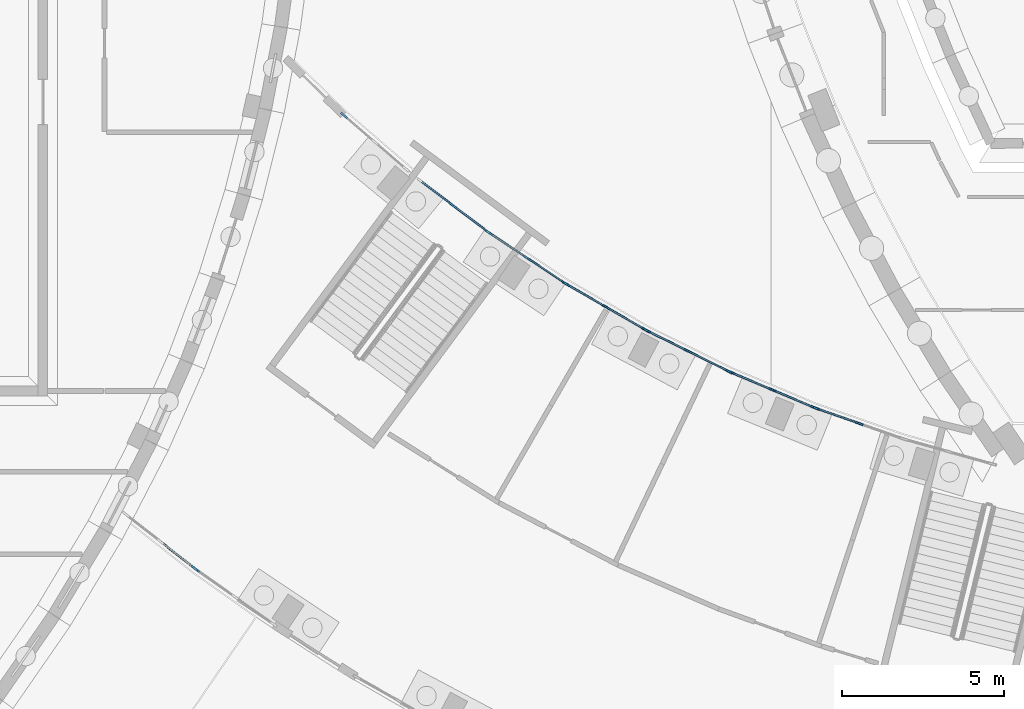
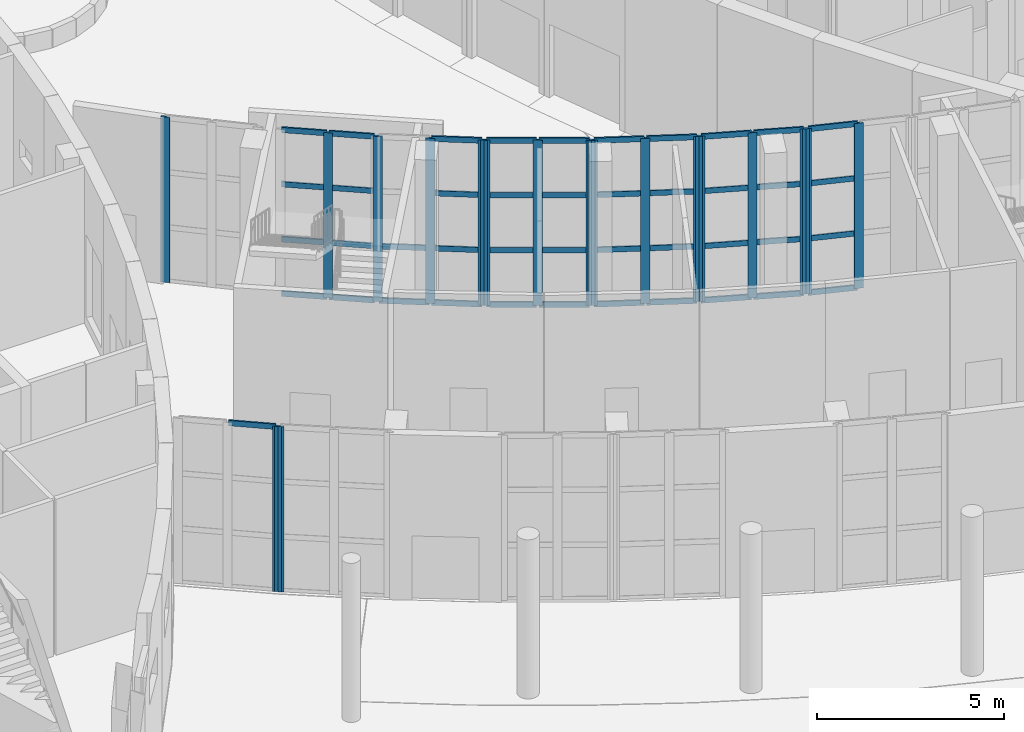
# One storey, part 19 of 82: 61 members, 9 elements without a shape of their own.
"""IFC4 building model written with IfcOpenShell, lengths in metres."""

from ifc_helpers import new_model, si_unit, direction, frame, origin, origin_2d, place, context, subcontext, project, spatial, rectangle, extrude, material, material_profile, profile_set, type_object, element, aggregate, save


model = new_model("IFC4")

# Units and contexts
model_context = context("Model", 3, precision=1e-05, world=origin(), true_north=direction((0.0, 1.0)))
body_context = subcontext(model_context, "Body", "Model", "MODEL_VIEW")
ifc_project = project(units=[si_unit("LENGTHUNIT", "METRE"), si_unit("AREAUNIT", "SQUARE_METRE"), si_unit("VOLUMEUNIT", "CUBIC_METRE"), si_unit("PLANEANGLEUNIT", "RADIAN"), si_unit("MASSUNIT", "GRAM", prefix="KILO")], contexts=[model_context])

# Site, building, storey
site_placement = place(None, origin())
site = spatial("IfcSite", under=ifc_project, at=site_placement, CompositionType="ELEMENT")
building_placement = place(site_placement, origin())
building = spatial("IfcBuilding", under=site, at=building_placement, Name="Tide Square Theatres", CompositionType="ELEMENT")
storey_placement = place(building_placement, origin())
storey = spatial("IfcBuildingStorey", under=building, at=storey_placement, Name="L00", CompositionType="ELEMENT", Elevation=0.0)

# Curtain wall, member
ifc_material_1 = material(Name="Aluminium 6063-T5", Category="aluminium")
curtain_wall_type = type_object("IfcCurtainWallType", Name="Unitised system curtain wall 5400 high", PredefinedType="USERDEFINED", material=ifc_material_1)
curtain_wall_1_placement = place(storey_placement, origin())
curtain_wall_1 = element("IfcCurtainWall", 1, at=curtain_wall_1_placement, inside=storey, type_object=curtain_wall_type, Name="Foyer outer curtain wall", ObjectType="UNITISED SYSTEM", PredefinedType="USERDEFINED")
ifc_material_2 = material(Name="Aluminium 6063-T5", Category="aluminium")
ifc_material_profile_1 = material_profile(ifc_material_2, rectangle(XDim=0.06005859375, YDim=0.25, at=origin_2d()))
ifc_profile_set_1 = profile_set([ifc_material_profile_1], Name="Aluminium 6063-T5")
member_type_1 = type_object("IfcMemberType", Name="Aluminium mullion 60 x 250", PredefinedType="MULLION", material=ifc_profile_set_1)
member_1_placement = place(storey_placement, frame((48.187255859375, 20.01708984375, 0.0), z_axis=(0.0, 0.0, 1.0), x_axis=(0.617609263904, 0.786485090221, 0.0)))
member_1 = element("IfcMember", 2, at=member_1_placement, type_object=member_type_1, Name="CW-01 mullion 3", PredefinedType="MULLION", context=body_context, shape_type="SweptSolid", body=[
    extrude(rectangle(XDim=0.06005859375, YDim=0.25, at=origin_2d()), origin(), (0.0, 0.0, 1.0), 5.39990234375),
])

curtain_wall_2_placement = place(storey_placement, origin())
curtain_wall_2 = element("IfcCurtainWall", 3, at=curtain_wall_2_placement, inside=storey, type_object=curtain_wall_type, Name="Foyer outer curtain wall", ObjectType="UNITISED SYSTEM", PredefinedType="USERDEFINED")
member_2_placement = place(storey_placement, frame((48.2353515625, 19.981201171875, 0.0), z_axis=(0.0, 0.0, 1.0), x_axis=(0.577503246104, 0.816388388415, 0.0)))
member_2 = element("IfcMember", 4, at=member_2_placement, type_object=member_type_1, Name="CW-01 mullion 1", PredefinedType="MULLION", context=body_context, shape_type="SweptSolid", body=[
    extrude(rectangle(XDim=0.06005859375, YDim=0.25, at=origin_2d()), origin(), (0.0, 0.0, 1.0), 5.39990234375),
])
aggregate(curtain_wall_2, [member_2])

# Curtain wall, members
curtain_wall_3_placement = place(storey_placement, origin())
curtain_wall_3 = element("IfcCurtainWall", 5, at=curtain_wall_3_placement, inside=storey, type_object=curtain_wall_type, Name="Foyer inner curtain wall", ObjectType="UNITISED SYSTEM", PredefinedType="USERDEFINED")
member_3_placement = place(storey_placement, frame((68.74560546875, 24.494140625, 0.0), z_axis=(0.0, 0.0, 1.0), x_axis=(-0.330876191147, -0.943674173713, 0.0)))
member_3 = element("IfcMember", 6, at=member_3_placement, type_object=member_type_1, Name="CW-01 mullion 2", PredefinedType="MULLION", context=body_context, shape_type="SweptSolid", body=[
    extrude(rectangle(XDim=0.06005859375, YDim=0.25, at=origin_2d()), origin(), (0.0, 0.0, 1.0), 5.39990234375),
])
member_4_placement = place(storey_placement, frame((67.4150390625, 24.960693359375, 0.0), z_axis=(0.0, 0.0, 1.0), x_axis=(-0.330876191147, -0.943674173713, 0.0)))
member_4 = element("IfcMember", 7, at=member_4_placement, type_object=member_type_1, Name="CW-01 mullion 3", PredefinedType="MULLION", context=body_context, shape_type="SweptSolid", body=[
    extrude(rectangle(XDim=0.06005859375, YDim=0.25, at=origin_2d()), origin(), (0.0, 0.0, 1.0), 5.39990234375),
])

curtain_wall_4_placement = place(storey_placement, origin())
curtain_wall_4 = element("IfcCurtainWall", 8, at=curtain_wall_4_placement, inside=storey, type_object=curtain_wall_type, Name="Foyer inner curtain wall", ObjectType="UNITISED SYSTEM", PredefinedType="USERDEFINED")
member_5_placement = place(storey_placement, frame((67.359130859375, 24.982421875, 0.0), z_axis=(0.0, 0.0, 1.0), x_axis=(-0.389137043393, -0.92117987465, 0.0)))
member_5 = element("IfcMember", 9, at=member_5_placement, type_object=member_type_1, Name="CW-01 mullion 1", PredefinedType="MULLION", context=body_context, shape_type="SweptSolid", body=[
    extrude(rectangle(XDim=0.06005859375, YDim=0.25, at=origin_2d()), origin(), (0.0, 0.0, 1.0), 5.39990234375),
])
member_6_placement = place(storey_placement, frame((66.06005859375, 25.531005859375, 0.0), z_axis=(0.0, 0.0, 1.0), x_axis=(-0.389137043393, -0.92117987465, 0.0)))
member_6 = element("IfcMember", 10, at=member_6_placement, type_object=member_type_1, Name="CW-01 mullion 2", PredefinedType="MULLION", context=body_context, shape_type="SweptSolid", body=[
    extrude(rectangle(XDim=0.06005859375, YDim=0.25, at=origin_2d()), origin(), (0.0, 0.0, 1.0), 5.39990234375),
])
member_7_placement = place(storey_placement, frame((64.76123046875, 26.079833984375, 0.0), z_axis=(0.0, 0.0, 1.0), x_axis=(-0.389137043393, -0.92117987465, 0.0)))
member_7 = element("IfcMember", 11, at=member_7_placement, type_object=member_type_1, Name="CW-01 mullion 3", PredefinedType="MULLION", context=body_context, shape_type="SweptSolid", body=[
    extrude(rectangle(XDim=0.06005859375, YDim=0.25, at=origin_2d()), origin(), (0.0, 0.0, 1.0), 5.39990234375),
])

curtain_wall_5_placement = place(storey_placement, origin())
curtain_wall_5 = element("IfcCurtainWall", 12, at=curtain_wall_5_placement, inside=storey, type_object=curtain_wall_type, Name="Foyer inner curtain wall", ObjectType="UNITISED SYSTEM", PredefinedType="USERDEFINED")
member_8_placement = place(storey_placement, frame((64.70654296875, 26.10498046875, 0.0), z_axis=(0.0, 0.0, 1.0), x_axis=(-0.445865977245, -0.895099732061, 0.0)))
member_8 = element("IfcMember", 13, at=member_8_placement, type_object=member_type_1, Name="CW-01 mullion 1", PredefinedType="MULLION", context=body_context, shape_type="SweptSolid", body=[
    extrude(rectangle(XDim=0.06005859375, YDim=0.25, at=origin_2d()), origin(), (0.0, 0.0, 1.0), 5.39990234375),
])
member_9_placement = place(storey_placement, frame((63.4443359375, 26.733642578125, 0.0), z_axis=(0.0, 0.0, 1.0), x_axis=(-0.445865977245, -0.895099732061, 0.0)))
member_9 = element("IfcMember", 14, at=member_9_placement, type_object=member_type_1, Name="CW-01 mullion 2", PredefinedType="MULLION", context=body_context, shape_type="SweptSolid", body=[
    extrude(rectangle(XDim=0.06005859375, YDim=0.25, at=origin_2d()), origin(), (0.0, 0.0, 1.0), 5.39990234375),
])
member_10_placement = place(storey_placement, frame((62.182373046875, 27.3623046875, 0.0), z_axis=(0.0, 0.0, 1.0), x_axis=(-0.445865977245, -0.895099732061, 0.0)))
member_10 = element("IfcMember", 15, at=member_10_placement, type_object=member_type_1, Name="CW-01 mullion 3", PredefinedType="MULLION", context=body_context, shape_type="SweptSolid", body=[
    extrude(rectangle(XDim=0.06005859375, YDim=0.25, at=origin_2d()), origin(), (0.0, 0.0, 1.0), 5.39990234375),
])

curtain_wall_6_placement = place(storey_placement, origin())
curtain_wall_6 = element("IfcCurtainWall", 16, at=curtain_wall_6_placement, inside=storey, type_object=curtain_wall_type, Name="Foyer inner curtain wall", ObjectType="UNITISED SYSTEM", PredefinedType="USERDEFINED")
member_11_placement = place(storey_placement, frame((62.12939453125, 27.390625, 0.0), z_axis=(0.0, 0.0, 1.0), x_axis=(-0.500865183811, -0.865525313117, 0.0)))
member_11 = element("IfcMember", 17, at=member_11_placement, type_object=member_type_1, Name="CW-01 mullion 1", PredefinedType="MULLION", context=body_context, shape_type="SweptSolid", body=[
    extrude(rectangle(XDim=0.06005859375, YDim=0.25, at=origin_2d()), origin(), (0.0, 0.0, 1.0), 5.39990234375),
])
member_12_placement = place(storey_placement, frame((60.908935546875, 28.096923828125, 0.0), z_axis=(0.0, 0.0, 1.0), x_axis=(-0.500865183811, -0.865525313117, 0.0)))
member_12 = element("IfcMember", 18, at=member_12_placement, type_object=member_type_1, Name="CW-01 mullion 2", PredefinedType="MULLION", context=body_context, shape_type="SweptSolid", body=[
    extrude(rectangle(XDim=0.06005859375, YDim=0.25, at=origin_2d()), origin(), (0.0, 0.0, 1.0), 5.39990234375),
])
member_13_placement = place(storey_placement, frame((59.6884765625, 28.80322265625, 0.0), z_axis=(0.0, 0.0, 1.0), x_axis=(-0.500865183811, -0.865525313117, 0.0)))
member_13 = element("IfcMember", 19, at=member_13_placement, type_object=member_type_1, Name="CW-01 mullion 3", PredefinedType="MULLION", context=body_context, shape_type="SweptSolid", body=[
    extrude(rectangle(XDim=0.06005859375, YDim=0.25, at=origin_2d()), origin(), (0.0, 0.0, 1.0), 5.39990234375),
])

curtain_wall_7_placement = place(storey_placement, origin())
curtain_wall_7 = element("IfcCurtainWall", 20, at=curtain_wall_7_placement, inside=storey, type_object=curtain_wall_type, Name="Foyer inner curtain wall", ObjectType="UNITISED SYSTEM", PredefinedType="USERDEFINED")
member_14_placement = place(storey_placement, frame((59.637451171875, 28.8349609375, 0.0), z_axis=(0.0, 0.0, 1.0), x_axis=(-0.553914754598, -0.832573386939, 0.0)))
member_14 = element("IfcMember", 21, at=member_14_placement, type_object=member_type_1, Name="CW-01 mullion 1", PredefinedType="MULLION", context=body_context, shape_type="SweptSolid", body=[
    extrude(rectangle(XDim=0.06005859375, YDim=0.25, at=origin_2d()), origin(), (0.0, 0.0, 1.0), 5.39990234375),
])
member_15_placement = place(storey_placement, frame((58.46337890625, 29.615966796875, 0.0), z_axis=(0.0, 0.0, 1.0), x_axis=(-0.553914754598, -0.832573386939, 0.0)))
member_15 = element("IfcMember", 22, at=member_15_placement, type_object=member_type_1, Name="CW-01 mullion 2", PredefinedType="MULLION", context=body_context, shape_type="SweptSolid", body=[
    extrude(rectangle(XDim=0.06005859375, YDim=0.25, at=origin_2d()), origin(), (0.0, 0.0, 1.0), 5.39990234375),
])
member_16_placement = place(storey_placement, frame((57.28955078125, 30.39697265625, 0.0), z_axis=(0.0, 0.0, 1.0), x_axis=(-0.553914754598, -0.832573386939, 0.0)))
member_16 = element("IfcMember", 23, at=member_16_placement, type_object=member_type_1, Name="CW-01 mullion 3", PredefinedType="MULLION", context=body_context, shape_type="SweptSolid", body=[
    extrude(rectangle(XDim=0.06005859375, YDim=0.25, at=origin_2d()), origin(), (0.0, 0.0, 1.0), 5.39990234375),
])

# Curtain wall, member
curtain_wall_8_placement = place(storey_placement, origin())
curtain_wall_8 = element("IfcCurtainWall", 24, at=curtain_wall_8_placement, inside=storey, type_object=curtain_wall_type, Name="Foyer inner curtain wall", ObjectType="UNITISED SYSTEM", PredefinedType="USERDEFINED")
member_17_placement = place(storey_placement, frame((56.21923828125, 31.20751953125, 0.0), z_axis=(0.0, 0.0, 1.0), x_axis=(-0.604785752731, -0.796388217702, 0.0)))
member_17 = element("IfcMember", 25, at=member_17_placement, type_object=member_type_1, Name="CW-01 mullion 2", PredefinedType="MULLION", context=body_context, shape_type="SweptSolid", body=[
    extrude(rectangle(XDim=0.06005859375, YDim=0.25, at=origin_2d()), origin(), (0.0, 0.0, 1.0), 5.39990234375),
])

curtain_wall_9_placement = place(storey_placement, origin())
curtain_wall_9 = element("IfcCurtainWall", 26, at=curtain_wall_9_placement, inside=storey, type_object=curtain_wall_type, Name="Foyer inner curtain wall", ObjectType="UNITISED SYSTEM", PredefinedType="USERDEFINED")
member_18_placement = place(storey_placement, frame((52.812744140625, 34.017822265625, 0.0), z_axis=(0.0, 0.0, 1.0), x_axis=(-0.653310647886, -0.75708995328, 0.0)))
member_18 = element("IfcMember", 27, at=member_18_placement, type_object=member_type_1, Name="CW-01 mullion 3", PredefinedType="MULLION", context=body_context, shape_type="SweptSolid", body=[
    extrude(rectangle(XDim=0.06005859375, YDim=0.25, at=origin_2d()), origin(), (0.0, 0.0, 1.0), 5.39990234375),
])
aggregate(curtain_wall_9, [member_18])

# Member
ifc_material_3 = material(Name="Aluminium 6063-T5", Category="aluminium")
ifc_material_profile_2 = material_profile(ifc_material_3, rectangle(XDim=0.050048828125, YDim=0.175048828125, at=origin_2d()))
ifc_profile_set_2 = profile_set([ifc_material_profile_2], Name="Aluminium 6063-T5")
member_type_2 = type_object("IfcMemberType", Name="Aluminium transom 50 x 175", PredefinedType="USERDEFINED", material=ifc_profile_set_2)
member_19_placement = place(storey_placement, frame((47.154296875, 20.828125, 5.375), z_axis=(0.786516356224, -0.617569446614, 0.0), x_axis=(0.617569446614, 0.786516356224, 0.0)))
member_19 = element("IfcMember", 28, at=member_19_placement, type_object=member_type_2, Name="CW-01 transom 2.4", ObjectType="TRANSOM", PredefinedType="USERDEFINED", context=body_context, shape_type="SweptSolid", body=[
    extrude(rectangle(XDim=0.050048828125, YDim=0.175048828125, at=origin_2d()), origin(), (0.0, 0.0, 1.0), 1.283203125),
])

aggregate(curtain_wall_1, [member_1, member_19])

member_20_placement = place(storey_placement, frame((68.71728515625, 24.504150390625, 0.02490234375), z_axis=(-0.943649531732, 0.330946462834, 0.0), x_axis=(-0.330946462834, -0.943649531732, 0.0)))
member_20 = element("IfcMember", 29, at=member_20_placement, type_object=member_type_2, Name="CW-01 transom 2.1", ObjectType="TRANSOM", PredefinedType="USERDEFINED", context=body_context, shape_type="SweptSolid", body=[
    extrude(rectangle(XDim=0.050048828125, YDim=0.175048828125, at=origin_2d()), origin(), (0.0, 0.0, 1.0), 1.35009765625),
])

member_21_placement = place(storey_placement, frame((68.71728515625, 24.504150390625, 1.800048828125), z_axis=(-0.943649531732, 0.330946462834, 0.0), x_axis=(-0.330946462834, -0.943649531732, 0.0)))
member_21 = element("IfcMember", 30, at=member_21_placement, type_object=member_type_2, Name="CW-01 transom 2.2", ObjectType="TRANSOM", PredefinedType="USERDEFINED", context=body_context, shape_type="SweptSolid", body=[
    extrude(rectangle(XDim=0.050048828125, YDim=0.175048828125, at=origin_2d()), origin(), (0.0, 0.0, 1.0), 1.35009765625),
])

member_22_placement = place(storey_placement, frame((68.71728515625, 24.504150390625, 3.60009765625), z_axis=(-0.943649531732, 0.330946462834, 0.0), x_axis=(-0.330946462834, -0.943649531732, 0.0)))
member_22 = element("IfcMember", 31, at=member_22_placement, type_object=member_type_2, Name="CW-01 transom 2.3", ObjectType="TRANSOM", PredefinedType="USERDEFINED", context=body_context, shape_type="SweptSolid", body=[
    extrude(rectangle(XDim=0.050048828125, YDim=0.175048828125, at=origin_2d()), origin(), (0.0, 0.0, 1.0), 1.35009765625),
])

member_23_placement = place(storey_placement, frame((68.71728515625, 24.504150390625, 5.375), z_axis=(-0.943649531732, 0.330946462834, 0.0), x_axis=(-0.330946462834, -0.943649531732, 0.0)))
member_23 = element("IfcMember", 32, at=member_23_placement, type_object=member_type_2, Name="CW-01 transom 2.4", ObjectType="TRANSOM", PredefinedType="USERDEFINED", context=body_context, shape_type="SweptSolid", body=[
    extrude(rectangle(XDim=0.050048828125, YDim=0.175048828125, at=origin_2d()), origin(), (0.0, 0.0, 1.0), 1.35009765625),
])

aggregate(curtain_wall_3, [member_3, member_4, member_20, member_21, member_22, member_23])

member_24_placement = place(storey_placement, frame((67.33154296875, 24.994140625, 0.02490234375), z_axis=(-0.921199161802, 0.389091382963, 0.0), x_axis=(-0.389091382963, -0.921199161802, 0.0)))
member_24 = element("IfcMember", 33, at=member_24_placement, type_object=member_type_2, Name="CW-01 transom 1.1", ObjectType="TRANSOM", PredefinedType="USERDEFINED", context=body_context, shape_type="SweptSolid", body=[
    extrude(rectangle(XDim=0.050048828125, YDim=0.175048828125, at=origin_2d()), origin(), (0.0, 0.0, 1.0), 1.350341796875),
])

member_25_placement = place(storey_placement, frame((67.33154296875, 24.994140625, 1.800048828125), z_axis=(-0.921199161802, 0.389091382963, 0.0), x_axis=(-0.389091382963, -0.921199161802, 0.0)))
member_25 = element("IfcMember", 34, at=member_25_placement, type_object=member_type_2, Name="CW-01 transom 1.2", ObjectType="TRANSOM", PredefinedType="USERDEFINED", context=body_context, shape_type="SweptSolid", body=[
    extrude(rectangle(XDim=0.050048828125, YDim=0.175048828125, at=origin_2d()), origin(), (0.0, 0.0, 1.0), 1.350341796875),
])

member_26_placement = place(storey_placement, frame((67.33154296875, 24.994140625, 3.60009765625), z_axis=(-0.921199161802, 0.389091382963, 0.0), x_axis=(-0.389091382963, -0.921199161802, 0.0)))
member_26 = element("IfcMember", 35, at=member_26_placement, type_object=member_type_2, Name="CW-01 transom 1.3", ObjectType="TRANSOM", PredefinedType="USERDEFINED", context=body_context, shape_type="SweptSolid", body=[
    extrude(rectangle(XDim=0.050048828125, YDim=0.175048828125, at=origin_2d()), origin(), (0.0, 0.0, 1.0), 1.350341796875),
])

member_27_placement = place(storey_placement, frame((67.33154296875, 24.994140625, 5.375), z_axis=(-0.921199161802, 0.389091382963, 0.0), x_axis=(-0.389091382963, -0.921199161802, 0.0)))
member_27 = element("IfcMember", 36, at=member_27_placement, type_object=member_type_2, Name="CW-01 transom 1.4", ObjectType="TRANSOM", PredefinedType="USERDEFINED", context=body_context, shape_type="SweptSolid", body=[
    extrude(rectangle(XDim=0.050048828125, YDim=0.175048828125, at=origin_2d()), origin(), (0.0, 0.0, 1.0), 1.350341796875),
])

member_28_placement = place(storey_placement, frame((66.032470703125, 25.542724609375, 0.02490234375), z_axis=(-0.921171782581, 0.389156198687, 0.0), x_axis=(-0.389156198687, -0.921171782581, 0.0)))
member_28 = element("IfcMember", 37, at=member_28_placement, type_object=member_type_2, Name="CW-01 transom 2.1", ObjectType="TRANSOM", PredefinedType="USERDEFINED", context=body_context, shape_type="SweptSolid", body=[
    extrude(rectangle(XDim=0.050048828125, YDim=0.175048828125, at=origin_2d()), origin(), (0.0, 0.0, 1.0), 1.35009765625),
])

member_29_placement = place(storey_placement, frame((66.032470703125, 25.542724609375, 1.800048828125), z_axis=(-0.921171782581, 0.389156198687, 0.0), x_axis=(-0.389156198687, -0.921171782581, 0.0)))
member_29 = element("IfcMember", 38, at=member_29_placement, type_object=member_type_2, Name="CW-01 transom 2.2", ObjectType="TRANSOM", PredefinedType="USERDEFINED", context=body_context, shape_type="SweptSolid", body=[
    extrude(rectangle(XDim=0.050048828125, YDim=0.175048828125, at=origin_2d()), origin(), (0.0, 0.0, 1.0), 1.35009765625),
])

member_30_placement = place(storey_placement, frame((66.032470703125, 25.542724609375, 3.60009765625), z_axis=(-0.921171782581, 0.389156198687, 0.0), x_axis=(-0.389156198687, -0.921171782581, 0.0)))
member_30 = element("IfcMember", 39, at=member_30_placement, type_object=member_type_2, Name="CW-01 transom 2.3", ObjectType="TRANSOM", PredefinedType="USERDEFINED", context=body_context, shape_type="SweptSolid", body=[
    extrude(rectangle(XDim=0.050048828125, YDim=0.175048828125, at=origin_2d()), origin(), (0.0, 0.0, 1.0), 1.35009765625),
])

member_31_placement = place(storey_placement, frame((66.032470703125, 25.542724609375, 5.375), z_axis=(-0.921171782581, 0.389156198687, 0.0), x_axis=(-0.389156198687, -0.921171782581, 0.0)))
member_31 = element("IfcMember", 40, at=member_31_placement, type_object=member_type_2, Name="CW-01 transom 2.4", ObjectType="TRANSOM", PredefinedType="USERDEFINED", context=body_context, shape_type="SweptSolid", body=[
    extrude(rectangle(XDim=0.050048828125, YDim=0.175048828125, at=origin_2d()), origin(), (0.0, 0.0, 1.0), 1.35009765625),
])

aggregate(curtain_wall_4, [member_5, member_6, member_7, member_24, member_25, member_26, member_27, member_28, member_29, member_30, member_31])

member_32_placement = place(storey_placement, frame((64.6796875, 26.1181640625, 0.02490234375), z_axis=(-0.895077208695, 0.445911191241, 0.0), x_axis=(-0.445911191241, -0.895077208695, 0.0)))
member_32 = element("IfcMember", 41, at=member_32_placement, type_object=member_type_2, Name="CW-01 transom 1.1", ObjectType="TRANSOM", PredefinedType="USERDEFINED", context=body_context, shape_type="SweptSolid", body=[
    extrude(rectangle(XDim=0.050048828125, YDim=0.175048828125, at=origin_2d()), origin(), (0.0, 0.0, 1.0), 1.35009765625),
])

member_33_placement = place(storey_placement, frame((64.6796875, 26.1181640625, 1.800048828125), z_axis=(-0.895077208695, 0.445911191241, 0.0), x_axis=(-0.445911191241, -0.895077208695, 0.0)))
member_33 = element("IfcMember", 42, at=member_33_placement, type_object=member_type_2, Name="CW-01 transom 1.2", ObjectType="TRANSOM", PredefinedType="USERDEFINED", context=body_context, shape_type="SweptSolid", body=[
    extrude(rectangle(XDim=0.050048828125, YDim=0.175048828125, at=origin_2d()), origin(), (0.0, 0.0, 1.0), 1.35009765625),
])

member_34_placement = place(storey_placement, frame((64.6796875, 26.1181640625, 3.60009765625), z_axis=(-0.895077208695, 0.445911191241, 0.0), x_axis=(-0.445911191241, -0.895077208695, 0.0)))
member_34 = element("IfcMember", 43, at=member_34_placement, type_object=member_type_2, Name="CW-01 transom 1.3", ObjectType="TRANSOM", PredefinedType="USERDEFINED", context=body_context, shape_type="SweptSolid", body=[
    extrude(rectangle(XDim=0.050048828125, YDim=0.175048828125, at=origin_2d()), origin(), (0.0, 0.0, 1.0), 1.35009765625),
])

member_35_placement = place(storey_placement, frame((64.6796875, 26.1181640625, 5.375), z_axis=(-0.895077208695, 0.445911191241, 0.0), x_axis=(-0.445911191241, -0.895077208695, 0.0)))
member_35 = element("IfcMember", 44, at=member_35_placement, type_object=member_type_2, Name="CW-01 transom 1.4", ObjectType="TRANSOM", PredefinedType="USERDEFINED", context=body_context, shape_type="SweptSolid", body=[
    extrude(rectangle(XDim=0.050048828125, YDim=0.175048828125, at=origin_2d()), origin(), (0.0, 0.0, 1.0), 1.35009765625),
])

member_36_placement = place(storey_placement, frame((63.41748046875, 26.7470703125, 0.02490234375), z_axis=(-0.895149374029, 0.445766304441, 0.0), x_axis=(-0.445766304441, -0.895149374029, 0.0)))
member_36 = element("IfcMember", 45, at=member_36_placement, type_object=member_type_2, Name="CW-01 transom 2.1", ObjectType="TRANSOM", PredefinedType="USERDEFINED", context=body_context, shape_type="SweptSolid", body=[
    extrude(rectangle(XDim=0.050048828125, YDim=0.175048828125, at=origin_2d()), origin(), (0.0, 0.0, 1.0), 1.35009765625),
])

member_37_placement = place(storey_placement, frame((63.41748046875, 26.7470703125, 1.800048828125), z_axis=(-0.895149374029, 0.445766304441, 0.0), x_axis=(-0.445766304441, -0.895149374029, 0.0)))
member_37 = element("IfcMember", 46, at=member_37_placement, type_object=member_type_2, Name="CW-01 transom 2.2", ObjectType="TRANSOM", PredefinedType="USERDEFINED", context=body_context, shape_type="SweptSolid", body=[
    extrude(rectangle(XDim=0.050048828125, YDim=0.175048828125, at=origin_2d()), origin(), (0.0, 0.0, 1.0), 1.35009765625),
])

member_38_placement = place(storey_placement, frame((63.41748046875, 26.7470703125, 3.60009765625), z_axis=(-0.895149374029, 0.445766304441, 0.0), x_axis=(-0.445766304441, -0.895149374029, 0.0)))
member_38 = element("IfcMember", 47, at=member_38_placement, type_object=member_type_2, Name="CW-01 transom 2.3", ObjectType="TRANSOM", PredefinedType="USERDEFINED", context=body_context, shape_type="SweptSolid", body=[
    extrude(rectangle(XDim=0.050048828125, YDim=0.175048828125, at=origin_2d()), origin(), (0.0, 0.0, 1.0), 1.35009765625),
])

member_39_placement = place(storey_placement, frame((63.41748046875, 26.7470703125, 5.375), z_axis=(-0.895149374029, 0.445766304441, 0.0), x_axis=(-0.445766304441, -0.895149374029, 0.0)))
member_39 = element("IfcMember", 48, at=member_39_placement, type_object=member_type_2, Name="CW-01 transom 2.4", ObjectType="TRANSOM", PredefinedType="USERDEFINED", context=body_context, shape_type="SweptSolid", body=[
    extrude(rectangle(XDim=0.050048828125, YDim=0.175048828125, at=origin_2d()), origin(), (0.0, 0.0, 1.0), 1.35009765625),
])

aggregate(curtain_wall_5, [member_8, member_9, member_10, member_32, member_33, member_34, member_35, member_36, member_37, member_38, member_39])

member_40_placement = place(storey_placement, frame((62.103515625, 27.40576171875, 0.02490234375), z_axis=(-0.865537676083, 0.50084381925, 0.0), x_axis=(-0.50084381925, -0.865537676083, 0.0)))
member_40 = element("IfcMember", 49, at=member_40_placement, type_object=member_type_2, Name="CW-01 transom 1.1", ObjectType="TRANSOM", PredefinedType="USERDEFINED", context=body_context, shape_type="SweptSolid", body=[
    extrude(rectangle(XDim=0.050048828125, YDim=0.175048828125, at=origin_2d()), origin(), (0.0, 0.0, 1.0), 1.350341796875),
])

member_41_placement = place(storey_placement, frame((62.103515625, 27.40576171875, 1.800048828125), z_axis=(-0.865537676083, 0.50084381925, 0.0), x_axis=(-0.50084381925, -0.865537676083, 0.0)))
member_41 = element("IfcMember", 50, at=member_41_placement, type_object=member_type_2, Name="CW-01 transom 1.2", ObjectType="TRANSOM", PredefinedType="USERDEFINED", context=body_context, shape_type="SweptSolid", body=[
    extrude(rectangle(XDim=0.050048828125, YDim=0.175048828125, at=origin_2d()), origin(), (0.0, 0.0, 1.0), 1.350341796875),
])

member_42_placement = place(storey_placement, frame((62.103515625, 27.40576171875, 3.60009765625), z_axis=(-0.865537676083, 0.50084381925, 0.0), x_axis=(-0.50084381925, -0.865537676083, 0.0)))
member_42 = element("IfcMember", 51, at=member_42_placement, type_object=member_type_2, Name="CW-01 transom 1.3", ObjectType="TRANSOM", PredefinedType="USERDEFINED", context=body_context, shape_type="SweptSolid", body=[
    extrude(rectangle(XDim=0.050048828125, YDim=0.175048828125, at=origin_2d()), origin(), (0.0, 0.0, 1.0), 1.350341796875),
])

member_43_placement = place(storey_placement, frame((62.103515625, 27.40576171875, 5.375), z_axis=(-0.865537676083, 0.50084381925, 0.0), x_axis=(-0.50084381925, -0.865537676083, 0.0)))
member_43 = element("IfcMember", 52, at=member_43_placement, type_object=member_type_2, Name="CW-01 transom 1.4", ObjectType="TRANSOM", PredefinedType="USERDEFINED", context=body_context, shape_type="SweptSolid", body=[
    extrude(rectangle(XDim=0.050048828125, YDim=0.175048828125, at=origin_2d()), origin(), (0.0, 0.0, 1.0), 1.350341796875),
])

member_44_placement = place(storey_placement, frame((60.883056640625, 28.112060546875, 0.02490234375), z_axis=(-0.865537676083, 0.50084381925, 0.0), x_axis=(-0.50084381925, -0.865537676083, 0.0)))
member_44 = element("IfcMember", 53, at=member_44_placement, type_object=member_type_2, Name="CW-01 transom 2.1", ObjectType="TRANSOM", PredefinedType="USERDEFINED", context=body_context, shape_type="SweptSolid", body=[
    extrude(rectangle(XDim=0.050048828125, YDim=0.175048828125, at=origin_2d()), origin(), (0.0, 0.0, 1.0), 1.350341796875),
])

member_45_placement = place(storey_placement, frame((60.883056640625, 28.112060546875, 1.800048828125), z_axis=(-0.865537676083, 0.50084381925, 0.0), x_axis=(-0.50084381925, -0.865537676083, 0.0)))
member_45 = element("IfcMember", 54, at=member_45_placement, type_object=member_type_2, Name="CW-01 transom 2.2", ObjectType="TRANSOM", PredefinedType="USERDEFINED", context=body_context, shape_type="SweptSolid", body=[
    extrude(rectangle(XDim=0.050048828125, YDim=0.175048828125, at=origin_2d()), origin(), (0.0, 0.0, 1.0), 1.350341796875),
])

member_46_placement = place(storey_placement, frame((60.883056640625, 28.112060546875, 3.60009765625), z_axis=(-0.865537676083, 0.50084381925, 0.0), x_axis=(-0.50084381925, -0.865537676083, 0.0)))
member_46 = element("IfcMember", 55, at=member_46_placement, type_object=member_type_2, Name="CW-01 transom 2.3", ObjectType="TRANSOM", PredefinedType="USERDEFINED", context=body_context, shape_type="SweptSolid", body=[
    extrude(rectangle(XDim=0.050048828125, YDim=0.175048828125, at=origin_2d()), origin(), (0.0, 0.0, 1.0), 1.350341796875),
])

member_47_placement = place(storey_placement, frame((60.883056640625, 28.112060546875, 5.375), z_axis=(-0.865537676083, 0.50084381925, 0.0), x_axis=(-0.50084381925, -0.865537676083, 0.0)))
member_47 = element("IfcMember", 56, at=member_47_placement, type_object=member_type_2, Name="CW-01 transom 2.4", ObjectType="TRANSOM", PredefinedType="USERDEFINED", context=body_context, shape_type="SweptSolid", body=[
    extrude(rectangle(XDim=0.050048828125, YDim=0.175048828125, at=origin_2d()), origin(), (0.0, 0.0, 1.0), 1.350341796875),
])

aggregate(curtain_wall_6, [member_11, member_12, member_13, member_40, member_41, member_42, member_43, member_44, member_45, member_46, member_47])

member_48_placement = place(storey_placement, frame((59.612548828125, 28.8515625, 0.02490234375), z_axis=(-0.832578520155, 0.55390703893, 0.0), x_axis=(-0.55390703893, -0.832578520155, 0.0)))
member_48 = element("IfcMember", 57, at=member_48_placement, type_object=member_type_2, Name="CW-01 transom 1.1", ObjectType="TRANSOM", PredefinedType="USERDEFINED", context=body_context, shape_type="SweptSolid", body=[
    extrude(rectangle(XDim=0.050048828125, YDim=0.175048828125, at=origin_2d()), origin(), (0.0, 0.0, 1.0), 1.35009765625),
])

member_49_placement = place(storey_placement, frame((59.612548828125, 28.8515625, 1.800048828125), z_axis=(-0.832578520155, 0.55390703893, 0.0), x_axis=(-0.55390703893, -0.832578520155, 0.0)))
member_49 = element("IfcMember", 58, at=member_49_placement, type_object=member_type_2, Name="CW-01 transom 1.2", ObjectType="TRANSOM", PredefinedType="USERDEFINED", context=body_context, shape_type="SweptSolid", body=[
    extrude(rectangle(XDim=0.050048828125, YDim=0.175048828125, at=origin_2d()), origin(), (0.0, 0.0, 1.0), 1.35009765625),
])

member_50_placement = place(storey_placement, frame((59.612548828125, 28.8515625, 3.60009765625), z_axis=(-0.832578520155, 0.55390703893, 0.0), x_axis=(-0.55390703893, -0.832578520155, 0.0)))
member_50 = element("IfcMember", 59, at=member_50_placement, type_object=member_type_2, Name="CW-01 transom 1.3", ObjectType="TRANSOM", PredefinedType="USERDEFINED", context=body_context, shape_type="SweptSolid", body=[
    extrude(rectangle(XDim=0.050048828125, YDim=0.175048828125, at=origin_2d()), origin(), (0.0, 0.0, 1.0), 1.35009765625),
])

member_51_placement = place(storey_placement, frame((59.612548828125, 28.8515625, 5.375), z_axis=(-0.832578520155, 0.55390703893, 0.0), x_axis=(-0.55390703893, -0.832578520155, 0.0)))
member_51 = element("IfcMember", 60, at=member_51_placement, type_object=member_type_2, Name="CW-01 transom 1.4", ObjectType="TRANSOM", PredefinedType="USERDEFINED", context=body_context, shape_type="SweptSolid", body=[
    extrude(rectangle(XDim=0.050048828125, YDim=0.175048828125, at=origin_2d()), origin(), (0.0, 0.0, 1.0), 1.35009765625),
])

member_52_placement = place(storey_placement, frame((58.4384765625, 29.632568359375, 0.02490234375), z_axis=(-0.832578520155, 0.55390703893, 0.0), x_axis=(-0.55390703893, -0.832578520155, 0.0)))
member_52 = element("IfcMember", 61, at=member_52_placement, type_object=member_type_2, Name="CW-01 transom 2.1", ObjectType="TRANSOM", PredefinedType="USERDEFINED", context=body_context, shape_type="SweptSolid", body=[
    extrude(rectangle(XDim=0.050048828125, YDim=0.175048828125, at=origin_2d()), origin(), (0.0, 0.0, 1.0), 1.35009765625),
])

member_53_placement = place(storey_placement, frame((58.4384765625, 29.632568359375, 1.800048828125), z_axis=(-0.832578520155, 0.55390703893, 0.0), x_axis=(-0.55390703893, -0.832578520155, 0.0)))
member_53 = element("IfcMember", 62, at=member_53_placement, type_object=member_type_2, Name="CW-01 transom 2.2", ObjectType="TRANSOM", PredefinedType="USERDEFINED", context=body_context, shape_type="SweptSolid", body=[
    extrude(rectangle(XDim=0.050048828125, YDim=0.175048828125, at=origin_2d()), origin(), (0.0, 0.0, 1.0), 1.35009765625),
])

aggregate(curtain_wall_7, [member_14, member_15, member_16, member_48, member_49, member_50, member_51, member_52, member_53])

member_54_placement = place(storey_placement, frame((57.216796875, 30.449951171875, 0.02490234375), z_axis=(-0.796416043831, 0.604749109242, 0.0), x_axis=(-0.604749109242, -0.796416043831, 0.0)))
member_54 = element("IfcMember", 63, at=member_54_placement, type_object=member_type_2, Name="CW-01 transom 1.1", ObjectType="TRANSOM", PredefinedType="USERDEFINED", context=body_context, shape_type="SweptSolid", body=[
    extrude(rectangle(XDim=0.050048828125, YDim=0.175048828125, at=origin_2d()), origin(), (0.0, 0.0, 1.0), 1.222900390625),
])

member_55_placement = place(storey_placement, frame((57.216796875, 30.449951171875, 1.800048828125), z_axis=(-0.796416043831, 0.604749109242, 0.0), x_axis=(-0.604749109242, -0.796416043831, 0.0)))
member_55 = element("IfcMember", 64, at=member_55_placement, type_object=member_type_2, Name="CW-01 transom 1.2", ObjectType="TRANSOM", PredefinedType="USERDEFINED", context=body_context, shape_type="SweptSolid", body=[
    extrude(rectangle(XDim=0.050048828125, YDim=0.175048828125, at=origin_2d()), origin(), (0.0, 0.0, 1.0), 1.222900390625),
])

member_56_placement = place(storey_placement, frame((57.216796875, 30.449951171875, 3.60009765625), z_axis=(-0.796416043831, 0.604749109242, 0.0), x_axis=(-0.604749109242, -0.796416043831, 0.0)))
member_56 = element("IfcMember", 65, at=member_56_placement, type_object=member_type_2, Name="CW-01 transom 1.3", ObjectType="TRANSOM", PredefinedType="USERDEFINED", context=body_context, shape_type="SweptSolid", body=[
    extrude(rectangle(XDim=0.050048828125, YDim=0.175048828125, at=origin_2d()), origin(), (0.0, 0.0, 1.0), 1.222900390625),
])

member_57_placement = place(storey_placement, frame((57.216796875, 30.449951171875, 5.375), z_axis=(-0.796416043831, 0.604749109242, 0.0), x_axis=(-0.604749109242, -0.796416043831, 0.0)))
member_57 = element("IfcMember", 66, at=member_57_placement, type_object=member_type_2, Name="CW-01 transom 1.4", ObjectType="TRANSOM", PredefinedType="USERDEFINED", context=body_context, shape_type="SweptSolid", body=[
    extrude(rectangle(XDim=0.050048828125, YDim=0.175048828125, at=origin_2d()), origin(), (0.0, 0.0, 1.0), 1.222900390625),
])

member_58_placement = place(storey_placement, frame((56.1953125, 31.2255859375, 0.02490234375), z_axis=(-0.796343009, 0.604845279404, 0.0), x_axis=(-0.604845279404, -0.796343009, 0.0)))
member_58 = element("IfcMember", 67, at=member_58_placement, type_object=member_type_2, Name="CW-01 transom 2.1", ObjectType="TRANSOM", PredefinedType="USERDEFINED", context=body_context, shape_type="SweptSolid", body=[
    extrude(rectangle(XDim=0.050048828125, YDim=0.175048828125, at=origin_2d()), origin(), (0.0, 0.0, 1.0), 1.22265625),
])

member_59_placement = place(storey_placement, frame((56.1953125, 31.2255859375, 1.800048828125), z_axis=(-0.796343009, 0.604845279404, 0.0), x_axis=(-0.604845279404, -0.796343009, 0.0)))
member_59 = element("IfcMember", 68, at=member_59_placement, type_object=member_type_2, Name="CW-01 transom 2.2", ObjectType="TRANSOM", PredefinedType="USERDEFINED", context=body_context, shape_type="SweptSolid", body=[
    extrude(rectangle(XDim=0.050048828125, YDim=0.175048828125, at=origin_2d()), origin(), (0.0, 0.0, 1.0), 1.22265625),
])

member_60_placement = place(storey_placement, frame((56.1953125, 31.2255859375, 3.60009765625), z_axis=(-0.796343009, 0.604845279404, 0.0), x_axis=(-0.604845279404, -0.796343009, 0.0)))
member_60 = element("IfcMember", 69, at=member_60_placement, type_object=member_type_2, Name="CW-01 transom 2.3", ObjectType="TRANSOM", PredefinedType="USERDEFINED", context=body_context, shape_type="SweptSolid", body=[
    extrude(rectangle(XDim=0.050048828125, YDim=0.175048828125, at=origin_2d()), origin(), (0.0, 0.0, 1.0), 1.22265625),
])

member_61_placement = place(storey_placement, frame((56.1953125, 31.2255859375, 5.375), z_axis=(-0.796343009, 0.604845279404, 0.0), x_axis=(-0.604845279404, -0.796343009, 0.0)))
member_61 = element("IfcMember", 70, at=member_61_placement, type_object=member_type_2, Name="CW-01 transom 2.4", ObjectType="TRANSOM", PredefinedType="USERDEFINED", context=body_context, shape_type="SweptSolid", body=[
    extrude(rectangle(XDim=0.050048828125, YDim=0.175048828125, at=origin_2d()), origin(), (0.0, 0.0, 1.0), 1.22265625),
])

aggregate(curtain_wall_8, [member_17, member_54, member_55, member_56, member_57, member_58, member_59, member_60, member_61])

save(model, "model.ifc")
